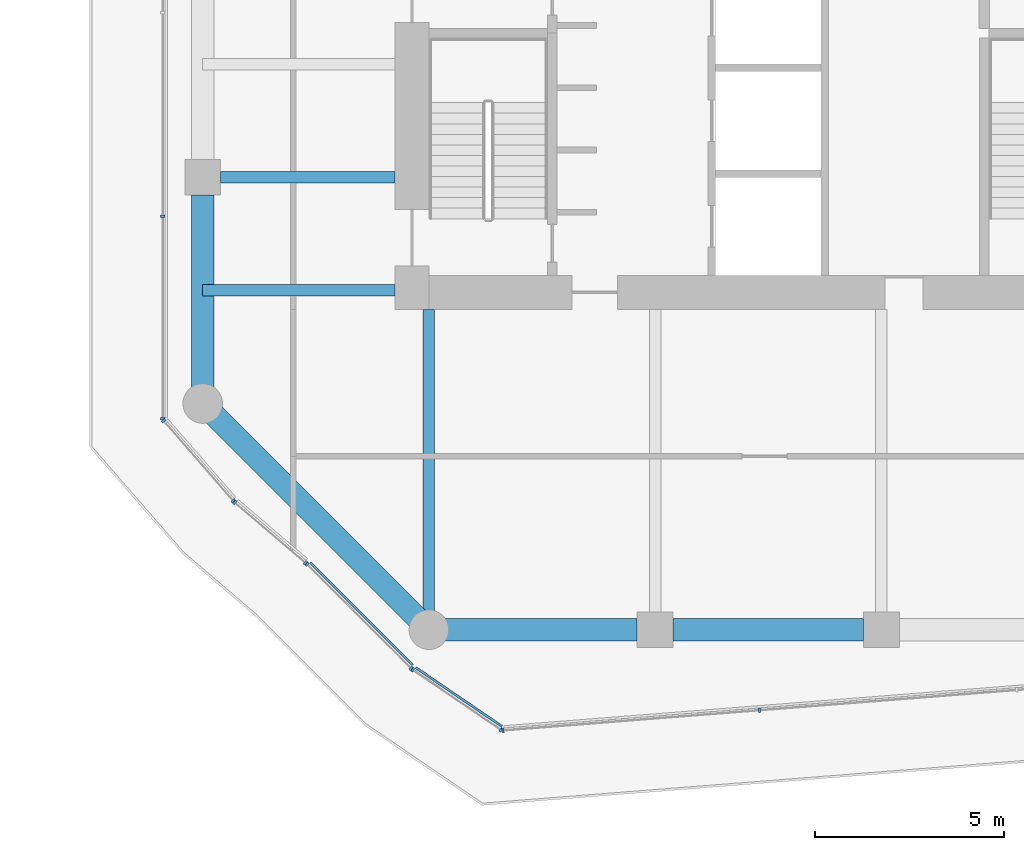
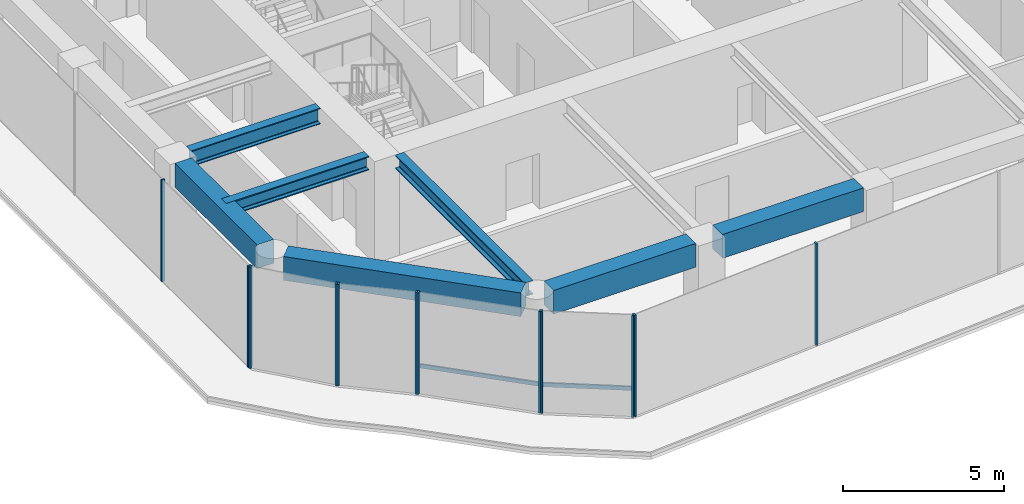
# One storey, part 2 of 28: 14 members, 7 beams, 6 elements without a shape of their own.
"""IFC4 building model written with IfcOpenShell, lengths in metres."""

from ifc_helpers import new_model, si_unit, direction, frame, origin, origin_2d, place, context, subcontext, project, spatial, rectangle, i_section, extrude, material, layer, layer_set, material_profile, profile_set, type_object, element, aggregate, save


model = new_model("IFC4")

# Units and contexts
model_context = context("Model", 3, precision=1e-05, world=origin(), true_north=direction((0.0, 1.0)))
body_context = subcontext(model_context, "Body", "Model", "MODEL_VIEW")
ifc_project = project(units=[si_unit("LENGTHUNIT", "METRE"), si_unit("AREAUNIT", "SQUARE_METRE"), si_unit("VOLUMEUNIT", "CUBIC_METRE"), si_unit("PLANEANGLEUNIT", "RADIAN"), si_unit("MASSUNIT", "GRAM", prefix="KILO")], contexts=[model_context])

# Site, building, storey
site_placement = place(None, origin())
site = spatial("IfcSite", under=ifc_project, at=site_placement, CompositionType="ELEMENT")
building_placement = place(site_placement, origin())
building = spatial("IfcBuilding", under=site, at=building_placement, Name="Welwitschia Terrace Campus", CompositionType="ELEMENT")
storey_placement = place(building_placement, frame((0.0, 0.0, 71.0)))
storey = spatial("IfcBuildingStorey", under=building, at=storey_placement, Name="L16", CompositionType="ELEMENT", Elevation=71.0)

# Beams
ifc_material_1 = material(Name="Steel S355", Category="steel")
ifc_material_profile_1 = material_profile(ifc_material_1, i_section(OverallWidth=0.305908203125, OverallDepth=0.52392578125, WebThickness=0.02099609375, FlangeThickness=0.0400390625, FilletRadius=0.027099609375, at=origin_2d()))
ifc_profile_set_1 = profile_set([ifc_material_profile_1], Name="Steel S355")
beam_type_1 = type_object("IfcBeamType", Name="Interior girder HE 500 M", PredefinedType="BEAM", material=ifc_profile_set_1)
beam_1_placement = place(storey_placement, frame((-0.010009765625, 5.0, 3.587890625), z_axis=(1.0, 0.0, 0.0), x_axis=(0.0, 1.0, 0.0)))
element("IfcBeam", 1, at=beam_1_placement, inside=storey, type_object=beam_type_1, Name="Girder GB2", PredefinedType="BEAM", context=body_context, shape_type="SweptSolid", body=[
    extrude(i_section(OverallWidth=0.305908203125, OverallDepth=0.52392578125, WebThickness=0.02099609375, FlangeThickness=0.0400390625, FilletRadius=0.027099609375, at=origin_2d()), origin(), (0.0, 0.0, 1.0), 5.109130859375),
])
beam_2_placement = place(storey_placement, frame((6.0, -3.507080078125, 3.587890625), z_axis=(0.0, 1.0, 0.0), x_axis=(-1.0, 0.0, 0.0)))
element("IfcBeam", 2, at=beam_2_placement, inside=storey, type_object=beam_type_1, Name="Girder GB2", PredefinedType="BEAM", context=body_context, shape_type="SweptSolid", body=[
    extrude(i_section(OverallWidth=0.305908203125, OverallDepth=0.52392578125, WebThickness=0.02099609375, FlangeThickness=0.0400390625, FilletRadius=0.027099609375, at=origin_2d()), origin(), (0.0, 0.0, 1.0), 8.006103515625),
])

# Curtain wall, members
ifc_material_2 = material(Name="Bronze anodised aluminium", Category="aluminium")
ifc_layer = layer(ifc_material_2, 0.1201171875)
ifc_layer_set = layer_set([ifc_layer], Name="Bronze anodised aluminium")
curtain_wall_type = type_object("IfcCurtainWallType", Name="Curtain wall CW2 tower 6000", PredefinedType="NOTDEFINED", material=ifc_layer_set)
curtain_wall_1_placement = place(storey_placement, origin())
curtain_wall_1 = element("IfcCurtainWall", 3, at=curtain_wall_1_placement, inside=storey, type_object=curtain_wall_type, Name="CW L16.0.0", PredefinedType="NOTDEFINED")
ifc_material_3 = material(Name="Bronze anodised aluminium", Category="aluminium")
ifc_material_profile_2 = material_profile(ifc_material_3, rectangle(XDim=0.1201171875, YDim=0.06005859375, at=origin_2d()))
ifc_profile_set_2 = profile_set([ifc_material_profile_2], Name="Bronze anodised aluminium")
member_type_1 = type_object("IfcMemberType", Name="Mullion 60x120", PredefinedType="MULLION", material=ifc_profile_set_2)
member_1_placement = place(storey_placement, frame((-1.038330078125, 1.54150390625, 0.0), z_axis=(0.0, 0.0, 1.0), x_axis=(0.754548054321, 0.6562447971, 0.0)))
member_1 = element("IfcMember", 4, at=member_1_placement, type_object=member_type_1, Name="Mullion L16.0.0.0", PredefinedType="MULLION", context=body_context, shape_type="SweptSolid", body=[
    extrude(rectangle(XDim=0.1201171875, YDim=0.06005859375, at=origin_2d()), origin(), (0.0, 0.0, 1.0), 3.85009765625),
])
member_2_placement = place(storey_placement, frame((0.807373046875, -0.580810546875, 0.0), z_axis=(0.0, 0.0, 1.0), x_axis=(0.754548054321, 0.6562447971, 0.0)))
member_2 = element("IfcMember", 5, at=member_2_placement, type_object=member_type_1, Name="Mullion L16.0.0.1", PredefinedType="MULLION", context=body_context, shape_type="SweptSolid", body=[
    extrude(rectangle(XDim=0.1201171875, YDim=0.06005859375, at=origin_2d()), origin(), (0.0, 0.0, 1.0), 3.85009765625),
])
aggregate(curtain_wall_1, [member_1, member_2])

curtain_wall_2_placement = place(storey_placement, origin())
curtain_wall_2 = element("IfcCurtainWall", 6, at=curtain_wall_2_placement, inside=storey, type_object=curtain_wall_type, Name="CW L16.1.0", PredefinedType="NOTDEFINED")
member_3_placement = place(storey_placement, frame((0.85009765625, -0.623046875, 0.0), z_axis=(0.0, 0.0, 1.0), x_axis=(0.64944804833, 0.7604059656, 0.0)))
member_3 = element("IfcMember", 7, at=member_3_placement, type_object=member_type_1, Name="Mullion L16.1.0.0", PredefinedType="MULLION", context=body_context, shape_type="SweptSolid", body=[
    extrude(rectangle(XDim=0.1201171875, YDim=0.06005859375, at=origin_2d()), origin(), (0.0, 0.0, 1.0), 3.85009765625),
])
member_4_placement = place(storey_placement, frame((2.7236328125, -2.22314453125, 0.0), z_axis=(0.0, 0.0, 1.0), x_axis=(0.64944804833, 0.7604059656, 0.0)))
member_4 = element("IfcMember", 8, at=member_4_placement, type_object=member_type_1, Name="Mullion L16.1.0.1", PredefinedType="MULLION", context=body_context, shape_type="SweptSolid", body=[
    extrude(rectangle(XDim=0.1201171875, YDim=0.06005859375, at=origin_2d()), origin(), (0.0, 0.0, 1.0), 3.85009765625),
])
aggregate(curtain_wall_2, [member_3, member_4])

curtain_wall_3_placement = place(storey_placement, origin())
curtain_wall_3 = element("IfcCurtainWall", 9, at=curtain_wall_3_placement, inside=storey, type_object=curtain_wall_type, Name="CW L16.2.0", PredefinedType="NOTDEFINED")
member_5_placement = place(storey_placement, frame((2.767578125, -2.263916015625, 0.0), z_axis=(0.0, 0.0, 1.0), x_axis=(0.707106781187, 0.707106781187, 0.0)))
member_5 = element("IfcMember", 10, at=member_5_placement, type_object=member_type_1, Name="Mullion L16.2.0.0", PredefinedType="MULLION", context=body_context, shape_type="SweptSolid", body=[
    extrude(rectangle(XDim=0.1201171875, YDim=0.06005859375, at=origin_2d()), origin(), (0.0, 0.0, 1.0), 3.85009765625),
])
member_6_placement = place(storey_placement, frame((5.52734375, -5.023681640625, 0.0), z_axis=(0.0, 0.0, 1.0), x_axis=(0.707106781187, 0.707106781187, 0.0)))
member_6 = element("IfcMember", 11, at=member_6_placement, type_object=member_type_1, Name="Mullion L16.2.0.1", PredefinedType="MULLION", context=body_context, shape_type="SweptSolid", body=[
    extrude(rectangle(XDim=0.1201171875, YDim=0.06005859375, at=origin_2d()), origin(), (0.0, 0.0, 1.0), 3.85009765625),
])

curtain_wall_4_placement = place(storey_placement, origin())
curtain_wall_4 = element("IfcCurtainWall", 12, at=curtain_wall_4_placement, inside=storey, type_object=curtain_wall_type, Name="CW L16.3.0", PredefinedType="NOTDEFINED")
member_7_placement = place(storey_placement, frame((5.573486328125, -5.061767578125, 0.0), z_axis=(0.0, 0.0, 1.0), x_axis=(0.56303976434, 0.826429805713, 0.0)))
member_7 = element("IfcMember", 13, at=member_7_placement, type_object=member_type_1, Name="Mullion L16.3.0.0", PredefinedType="MULLION", context=body_context, shape_type="SweptSolid", body=[
    extrude(rectangle(XDim=0.1201171875, YDim=0.06005859375, at=origin_2d()), origin(), (0.0, 0.0, 1.0), 3.85009765625),
])
member_8_placement = place(storey_placement, frame((7.90966796875, -6.653564453125, 0.0), z_axis=(0.0, 0.0, 1.0), x_axis=(0.56303976434, 0.826429805713, 0.0)))
member_8 = element("IfcMember", 14, at=member_8_placement, type_object=member_type_1, Name="Mullion L16.3.0.1", PredefinedType="MULLION", context=body_context, shape_type="SweptSolid", body=[
    extrude(rectangle(XDim=0.1201171875, YDim=0.06005859375, at=origin_2d()), origin(), (0.0, 0.0, 1.0), 3.85009765625),
])

curtain_wall_5_placement = place(storey_placement, origin())
curtain_wall_5 = element("IfcCurtainWall", 15, at=curtain_wall_5_placement, inside=storey, type_object=curtain_wall_type, Name="CW L16.4.0", PredefinedType="NOTDEFINED")
member_9_placement = place(storey_placement, frame((7.96435546875, -6.66796875, 0.0), z_axis=(0.0, 0.0, 1.0), x_axis=(-0.078459095728, 0.996917333733, 0.0)))
member_9 = element("IfcMember", 16, at=member_9_placement, type_object=member_type_1, Name="Mullion L16.4.0.0", PredefinedType="MULLION", context=body_context, shape_type="SweptSolid", body=[
    extrude(rectangle(XDim=0.1201171875, YDim=0.06005859375, at=origin_2d()), origin(), (0.0, 0.0, 1.0), 3.85009765625),
])
member_10_placement = place(storey_placement, frame((14.763427734375, -6.1328125, 0.0), z_axis=(0.0, 0.0, 1.0), x_axis=(-0.078459095728, 0.996917333733, 0.0)))
member_10 = element("IfcMember", 17, at=member_10_placement, type_object=member_type_1, Name="Mullion L16.4.0.1", PredefinedType="MULLION", context=body_context, shape_type="SweptSolid", body=[
    extrude(rectangle(XDim=0.1201171875, YDim=0.06005859375, at=origin_2d()), origin(), (0.0, 0.0, 1.0), 3.85009765625),
])
aggregate(curtain_wall_5, [member_9, member_10])

curtain_wall_6_placement = place(storey_placement, origin())
curtain_wall_6 = element("IfcCurtainWall", 18, at=curtain_wall_6_placement, inside=storey, type_object=curtain_wall_type, Name="CW L16.19.0", PredefinedType="NOTDEFINED")
member_11_placement = place(storey_placement, frame((-1.05810546875, 6.966064453125, 0.0), z_axis=(0.0, 0.0, 1.0), x_axis=(1.0, 0.0, 0.0)))
member_11 = element("IfcMember", 19, at=member_11_placement, type_object=member_type_1, Name="Mullion L16.19.0.3", PredefinedType="MULLION", context=body_context, shape_type="SweptSolid", body=[
    extrude(rectangle(XDim=0.1201171875, YDim=0.06005859375, at=origin_2d()), origin(), (0.0, 0.0, 1.0), 3.85009765625),
])
member_12_placement = place(storey_placement, frame((-1.05810546875, 1.593994140625, 0.0), z_axis=(0.0, 0.0, 1.0), x_axis=(1.0, 0.0, 0.0)))
member_12 = element("IfcMember", 20, at=member_12_placement, type_object=member_type_1, Name="Mullion L16.19.0.4", PredefinedType="MULLION", context=body_context, shape_type="SweptSolid", body=[
    extrude(rectangle(XDim=0.1201171875, YDim=0.06005859375, at=origin_2d()), origin(), (0.0, 0.0, 1.0), 3.85009765625),
])
aggregate(curtain_wall_6, [member_11, member_12])

# Beams
ifc_material_4 = material(Name="Steel S355", Category="steel")
ifc_material_profile_3 = material_profile(ifc_material_4, i_section(OverallWidth=0.300048828125, OverallDepth=0.60009765625, WebThickness=0.015380859375, FlangeThickness=0.030029296875, FilletRadius=0.027099609375, at=origin_2d()))
ifc_profile_set_3 = profile_set([ifc_material_profile_3], Name="Steel S355")
beam_type_2 = type_object("IfcBeamType", Name="Primary beam HE 600 B", PredefinedType="BEAM", material=ifc_profile_set_3)
beam_3_placement = place(storey_placement, frame((0.4755859375, 8.0, 3.550048828125), z_axis=(1.0, 0.0, 0.0), x_axis=(0.0, 1.0, 0.0)))
element("IfcBeam", 21, at=beam_3_placement, inside=storey, type_object=beam_type_2, Name="Primary beam PB2", PredefinedType="BEAM", context=body_context, shape_type="SweptSolid", body=[
    extrude(i_section(OverallWidth=0.300048828125, OverallDepth=0.60009765625, WebThickness=0.015380859375, FlangeThickness=0.030029296875, FilletRadius=0.027099609375, at=origin_2d()), origin(), (0.0, 0.0, 1.0), 4.62451171875),
])
ifc_material_5 = material(Name="Concrete C60/75", Category="concrete")
ifc_material_profile_4 = material_profile(ifc_material_5, rectangle(XDim=0.60009765625, YDim=0.89990234375, at=origin_2d()))
ifc_profile_set_4 = profile_set([ifc_material_profile_4], Name="Concrete C60/75")
beam_type_3 = type_object("IfcBeamType", Name="Ring spandrel 600x900", PredefinedType="SPANDREL", material=ifc_profile_set_4)
beam_4_placement = place(storey_placement, frame((0.30517578125, 1.69482421875, 3.39990234375), z_axis=(0.707106781187, -0.707106781187, 0.0), x_axis=(0.707106781187, 0.707106781187, 0.0)))
element("IfcBeam", 22, at=beam_4_placement, inside=storey, type_object=beam_type_3, Name="Spandrel SP2", PredefinedType="SPANDREL", context=body_context, shape_type="SweptSolid", body=[
    extrude(rectangle(XDim=0.60009765625, YDim=0.89990234375, at=origin_2d()), origin(), (0.0, 0.0, 1.0), 7.6220703125),
])
beam_5_placement = place(storey_placement, frame((6.431396484375, -4.0, 3.39990234375), z_axis=(1.0, 0.0, 0.0), x_axis=(0.0, 1.0, 0.0)))
element("IfcBeam", 23, at=beam_5_placement, inside=storey, type_object=beam_type_3, Name="Spandrel SP2", PredefinedType="SPANDREL", context=body_context, shape_type="SweptSolid", body=[
    extrude(rectangle(XDim=0.60009765625, YDim=0.89990234375, at=origin_2d()), origin(), (0.0, 0.0, 1.0), 5.093017578125),
])
beam_6_placement = place(storey_placement, frame((12.4755859375, -4.0, 3.39990234375), z_axis=(1.0, 0.0, 0.0), x_axis=(0.0, 1.0, 0.0)))
element("IfcBeam", 24, at=beam_6_placement, inside=storey, type_object=beam_type_3, Name="Spandrel SP2", PredefinedType="SPANDREL", context=body_context, shape_type="SweptSolid", body=[
    extrude(rectangle(XDim=0.60009765625, YDim=0.89990234375, at=origin_2d()), origin(), (0.0, 0.0, 1.0), 5.048828125),
])
beam_7_placement = place(storey_placement, frame((0.0, 7.5244140625, 3.39990234375), z_axis=(0.0, -1.0, 0.0), x_axis=(1.0, 0.0, 0.0)))
element("IfcBeam", 25, at=beam_7_placement, inside=storey, type_object=beam_type_3, Name="Spandrel SP2", PredefinedType="SPANDREL", context=body_context, shape_type="SweptSolid", body=[
    extrude(rectangle(XDim=0.60009765625, YDim=0.89990234375, at=origin_2d()), origin(), (0.0, 0.0, 1.0), 5.093017578125),
])

# Member
ifc_material_6 = material(Name="Bronze anodised aluminium", Category="aluminium")
ifc_material_profile_5 = material_profile(ifc_material_6, rectangle(XDim=0.06005859375, YDim=0.14990234375, at=origin_2d()))
ifc_profile_set_5 = profile_set([ifc_material_profile_5], Name="Bronze anodised aluminium")
member_type_2 = type_object("IfcMemberType", Name="Transom 60x150", PredefinedType="USERDEFINED", material=ifc_profile_set_5)
member_13_placement = place(storey_placement, frame((2.8525390625, -2.221435546875, 1.0), z_axis=(0.707106781187, -0.707106781187, 0.0), x_axis=(0.707106781187, 0.707106781187, 0.0)))
member_13 = element("IfcMember", 26, at=member_13_placement, type_object=member_type_2, Name="Transom L16.2.0", ObjectType="TRANSOM", PredefinedType="USERDEFINED", context=body_context, shape_type="SweptSolid", body=[
    extrude(rectangle(XDim=0.06005859375, YDim=0.14990234375, at=origin_2d()), origin(), (0.0, 0.0, 1.0), 3.8427734375),
])

aggregate(curtain_wall_3, [member_5, member_6, member_13])

member_14_placement = place(storey_placement, frame((5.64892578125, -5.004150390625, 1.0), z_axis=(0.826387845556, -0.563101348531, 0.0), x_axis=(0.563101348531, 0.826387845556, 0.0)))
member_14 = element("IfcMember", 27, at=member_14_placement, type_object=member_type_2, Name="Transom L16.3.0", ObjectType="TRANSOM", PredefinedType="USERDEFINED", context=body_context, shape_type="SweptSolid", body=[
    extrude(rectangle(XDim=0.06005859375, YDim=0.14990234375, at=origin_2d()), origin(), (0.0, 0.0, 1.0), 2.76708984375),
])

aggregate(curtain_wall_4, [member_7, member_8, member_14])

save(model, "model.ifc")
